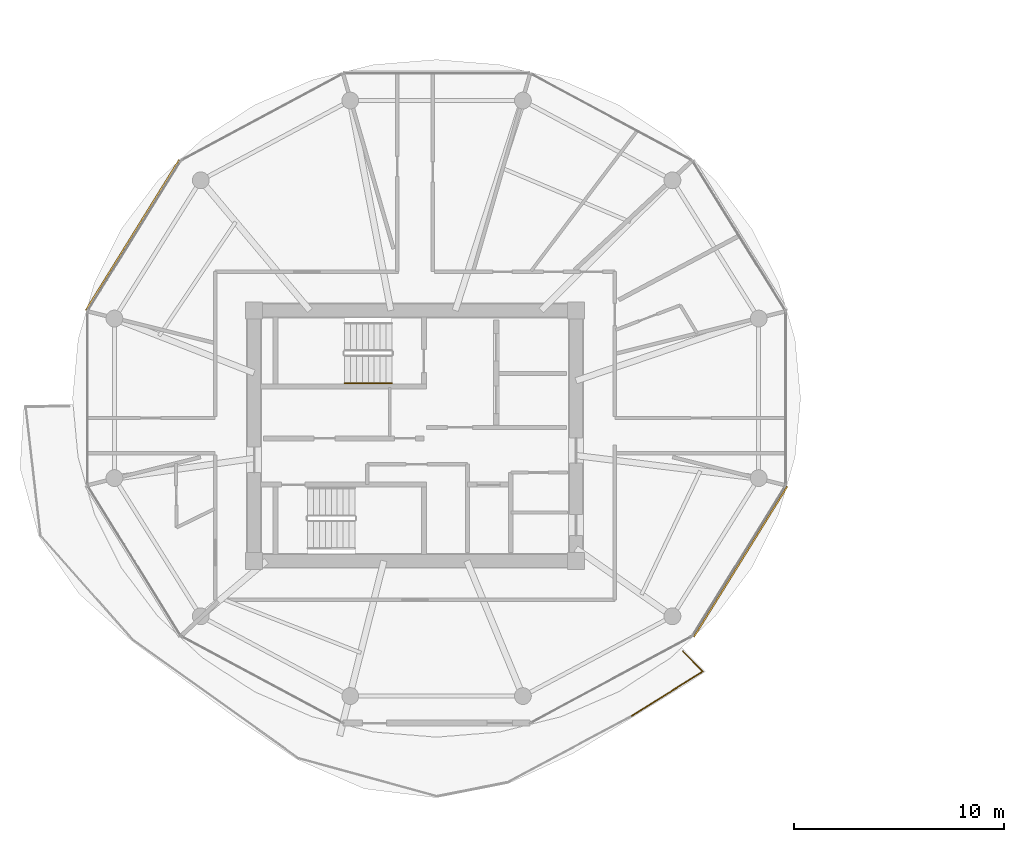
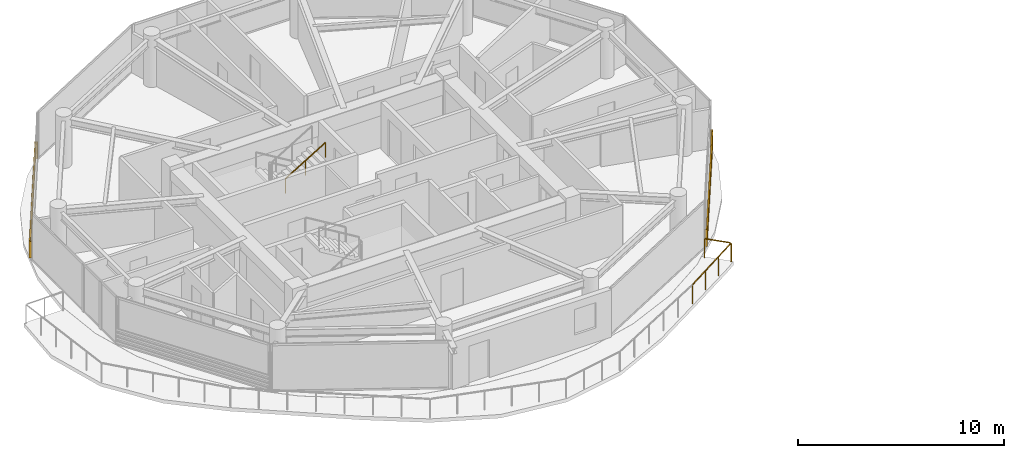
# One storey, part 19 of 22: 2 railings, 2 shading devices.
"""IFC4 building model written with IfcOpenShell, lengths in metres."""

from ifc_helpers import new_model, si_unit, direction, frame, origin, origin_2d, place, context, subcontext, project, spatial, rectangle, extrude, source, transform, mapped, material, type_object, type_shapes, element, save


model = new_model("IFC4")

# Units and contexts
model_context = context("Model", 3, precision=1e-05, world=origin(), true_north=direction((0.0, 1.0)))
body_context = subcontext(model_context, "Body", "Model", "MODEL_VIEW")
ifc_project = project(units=[si_unit("LENGTHUNIT", "METRE"), si_unit("AREAUNIT", "SQUARE_METRE"), si_unit("VOLUMEUNIT", "CUBIC_METRE"), si_unit("PLANEANGLEUNIT", "RADIAN"), si_unit("MASSUNIT", "GRAM", prefix="KILO")], contexts=[model_context])

# Site, building, storey
site_placement = place(None, origin())
site = spatial("IfcSite", under=ifc_project, at=site_placement, CompositionType="ELEMENT")
building_placement = place(site_placement, origin())
building = spatial("IfcBuilding", under=site, at=building_placement, Name="Norrkilde Senior Care Towers", CompositionType="ELEMENT")
storey_placement = place(building_placement, frame((0.0, 0.0, 167.85009765625)))
storey = spatial("IfcBuildingStorey", under=building, at=storey_placement, Name="L52", CompositionType="ELEMENT", Elevation=167.85009765625)

# Railings
ifc_material_1 = material(Name="Anodised Aluminium", Category="aluminium")
railing_type_1 = type_object("IfcRailingType", Name="Balcony Swirl Ribbon Guardrail 1150", PredefinedType="GUARDRAIL", material=ifc_material_1)
railing_1_placement = place(storey_placement, frame((-15.26220703125, -10.25244140625, 0.0)))
element("IfcRailing", 1, at=railing_1_placement, inside=storey, type_object=railing_type_1, Name="L52 Perimeter Safety Guard 04", PredefinedType="GUARDRAIL", context=body_context, shape_type="SweptSolid", body=[
    extrude(rectangle(XDim=0.048095703125, YDim=0.048095703125, at=origin_2d()), frame((0.0, 0.0, 1.1259765625), z_axis=(0.701062679615, -0.713099655904, 0.0), x_axis=(0.713099655904, 0.701062679615, 0.0)), (0.0, 0.0, 1.0), 1.2978515625),
    extrude(rectangle(XDim=0.048095703125, YDim=0.048095703125, at=origin_2d()), frame((0.90380859375, -0.976318359375, 1.1259765625), z_axis=(-0.848156295479, -0.529746069772, 0.0), x_axis=(0.529746069772, -0.848156295479, 0.0)), (0.0, 0.0, 1.0), 3.95166015625),
    extrude(rectangle(XDim=0.0419921875, YDim=0.0419921875, at=origin_2d()), origin(), (0.0, 0.0, 1.0), 1.099853515625),
    extrude(rectangle(XDim=0.0419921875, YDim=0.0419921875, at=origin_2d()), frame((0.9384765625, -0.95458984375, 0.0)), (0.0, 0.0, 1.0), 1.099853515625),
    extrude(rectangle(XDim=0.0419921875, YDim=0.0419921875, at=origin_2d()), frame((-0.190185546875, -1.65966796875, 0.0)), (0.0, 0.0, 1.0), 1.099853515625),
    extrude(rectangle(XDim=0.0419921875, YDim=0.0419921875, at=origin_2d()), frame((-1.319091796875, -2.364501953125, 0.0)), (0.0, 0.0, 1.0), 1.099853515625),
    extrude(rectangle(XDim=0.0419921875, YDim=0.0419921875, at=origin_2d()), frame((-2.44775390625, -3.069580078125, 0.0)), (0.0, 0.0, 1.0), 1.099853515625),
])
ifc_material_2 = material(Name="Nordic Ash Timber", Category="wood")
railing_type_2 = type_object("IfcRailingType", Name="Wall and Stair Handrail 900", PredefinedType="HANDRAIL", material=ifc_material_2)
railing_2_placement = place(storey_placement, frame((-31.340087890625, 2.5, 1.6943359375)))
element("IfcRailing", 2, at=railing_2_placement, inside=storey, type_object=railing_type_2, Name="L52 ST-W1 stair handrail 2", PredefinedType="HANDRAIL", context=body_context, shape_type="SweptSolid", body=[
    extrude(rectangle(XDim=0.048095703125, YDim=0.048095703125, at=origin_2d()), frame((0.0, 0.0, 0.8759765625), z_axis=(0.855553338991, 0.0, 0.51771467445), x_axis=(0.0, 1.0, 0.0)), (0.0, 0.0, 1.0), 2.6181640625),
    extrude(rectangle(XDim=0.0419921875, YDim=0.0419921875, at=origin_2d()), origin(), (0.0, 0.0, 1.0), 0.849853515625),
    extrude(rectangle(XDim=0.0419921875, YDim=0.0419921875, at=origin_2d()), frame((1.1201171875, 0.0, 0.677734375)), (0.0, 0.0, 1.0), 0.849853515625),
    extrude(rectangle(XDim=0.0419921875, YDim=0.0419921875, at=origin_2d()), frame((2.239990234375, 0.0, 1.35546875)), (0.0, 0.0, 1.0), 0.849853515625),
])

# Shading devices
ifc_material_3 = material(Name="Architectural Terracotta", Category="masonry")
shading_device_type = type_object("IfcShadingDeviceType", Name="Horizontal Terracotta Baguette Rack", PredefinedType="USERDEFINED", material=ifc_material_3)
shared_shape = source(origin(), body_context, "Body", "SweptSolid", [
    extrude(rectangle(XDim=0.070068359375, YDim=0.110107421875, at=origin_2d()), frame((0.0, 0.090087890625, 0.125), z_axis=(1.0, 0.0, 0.0), x_axis=(0.0, 1.0, 0.0)), (0.0, 0.0, 1.0), 8.431396484375),
    extrude(rectangle(XDim=0.070068359375, YDim=0.110107421875, at=origin_2d()), frame((0.0, 0.090087890625, 0.375), z_axis=(1.0, 0.0, 0.0), x_axis=(0.0, 1.0, 0.0)), (0.0, 0.0, 1.0), 8.431396484375),
    extrude(rectangle(XDim=0.070068359375, YDim=0.110107421875, at=origin_2d()), frame((0.0, 0.090087890625, 0.625), z_axis=(1.0, 0.0, 0.0), x_axis=(0.0, 1.0, 0.0)), (0.0, 0.0, 1.0), 8.431396484375),
    extrude(rectangle(XDim=0.070068359375, YDim=0.110107421875, at=origin_2d()), frame((0.0, 0.090087890625, 0.875), z_axis=(1.0, 0.0, 0.0), x_axis=(0.0, 1.0, 0.0)), (0.0, 0.0, 1.0), 8.431396484375),
    extrude(rectangle(XDim=0.050048828125, YDim=0.1552734375, at=origin_2d()), frame((0.02490234375, 0.047607421875, 0.0)), (0.0, 0.0, 1.0), 1.0),
    extrude(rectangle(XDim=0.050048828125, YDim=0.1552734375, at=origin_2d()), frame((8.40625, 0.047607421875, 0.0)), (0.0, 0.0, 1.0), 1.0),
])
type_shapes(shading_device_type, [shared_shape])
for number, where, z_axis, x_axis, name in (
    (3, (-43.569580078125, 5.911376953125, 0.079833984375), (0.0, 0.0, 1.0), (0.527378022296, 0.849630809324, 0.0), "L52 Drum W Terracotta Baguette Screen 04"),
    (4, (-10.38037109375, -2.360595703125, 0.079833984375), (0.0, 0.0, 1.0), (-0.527378022296, -0.849630809324, 0.0), "L52 Drum W Terracotta Baguette Screen 10"),
):
    element("IfcShadingDevice", number, at=place(storey_placement, frame(where, z_axis=z_axis, x_axis=x_axis)), inside=storey, type_object=shading_device_type, Name=name, ObjectType="BAGUETTE", PredefinedType="USERDEFINED", context=body_context, shape_type="MappedRepresentation", body=[
        mapped(shared_shape, transform((0.0, 0.0, 0.0), x_axis=(1.0, 0.0, 0.0), y_axis=(0.0, 1.0, 0.0), z_axis=(0.0, 0.0, 1.0), scale=1.0)),
    ])

save(model, "model.ifc")
